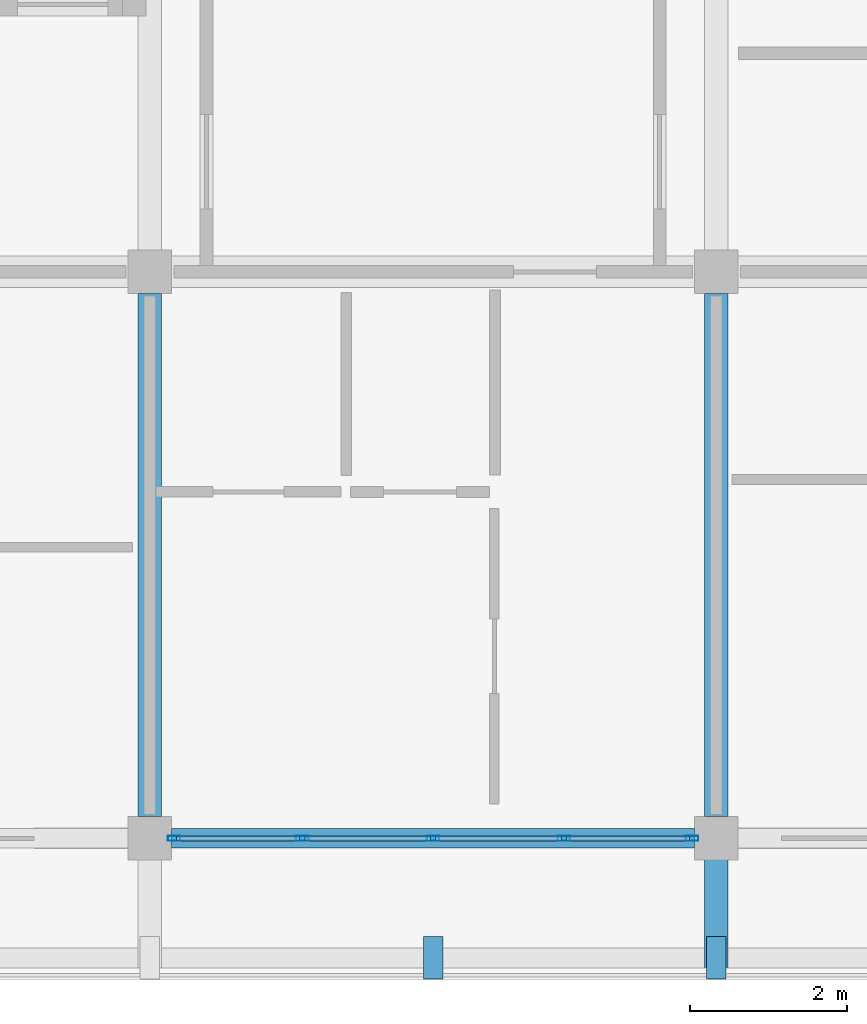
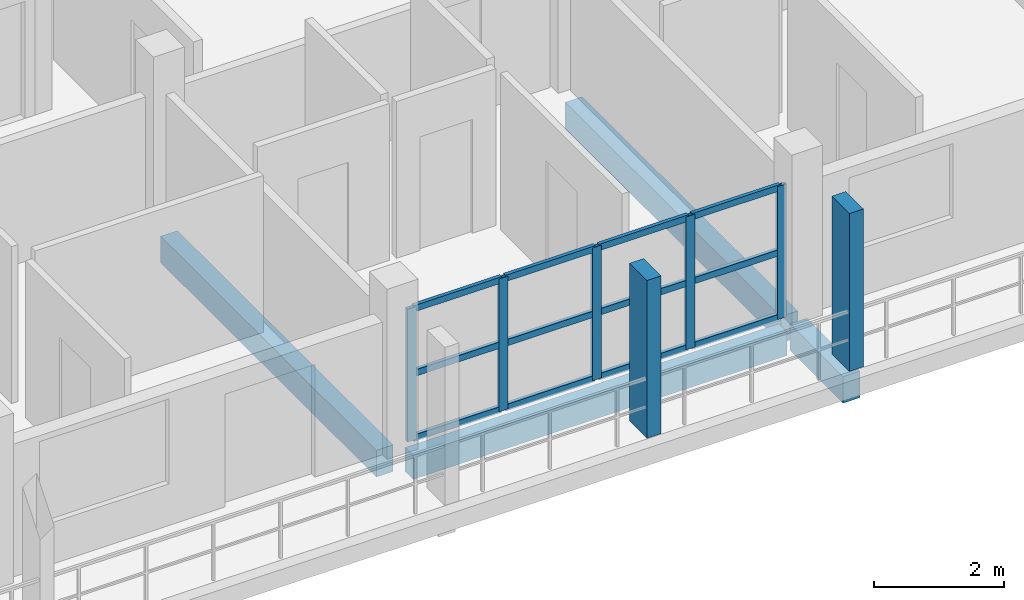
# One storey, part 6 of 65: 19 members, 4 beams, 1 element without a shape of its own.
"""IFC4 building model written with IfcOpenShell, lengths in metres."""

from ifc_helpers import new_model, si_unit, direction, frame, origin, origin_2d, place, context, subcontext, project, spatial, rectangle, hollow_rectangle, extrude, material, material_profile, profile_set, type_object, element, aggregate, save


model = new_model("IFC4")

# Units and contexts
model_context = context("Model", 3, precision=1e-05, world=origin(), true_north=direction((0.0, 1.0)))
body_context = subcontext(model_context, "Body", "Model", "MODEL_VIEW")
ifc_project = project(units=[si_unit("LENGTHUNIT", "METRE"), si_unit("AREAUNIT", "SQUARE_METRE"), si_unit("VOLUMEUNIT", "CUBIC_METRE"), si_unit("PLANEANGLEUNIT", "RADIAN"), si_unit("MASSUNIT", "GRAM", prefix="KILO")], contexts=[model_context])

# Site, building, storey
site_placement = place(None, origin())
site = spatial("IfcSite", under=ifc_project, at=site_placement, CompositionType="ELEMENT")
building_placement = place(site_placement, origin())
building = spatial("IfcBuilding", under=site, at=building_placement, Name="Suanplinth Sawtooth Commons", CompositionType="ELEMENT")
storey_placement = place(building_placement, frame((0.0, 0.0, 28.300048828125)))
storey = spatial("IfcBuildingStorey", under=building, at=storey_placement, Name="L08", CompositionType="ELEMENT", Elevation=28.300048828125)

# Beams
ifc_material_1 = material(Name="Precast concrete C40/50", Category="concrete")
ifc_material_profile_1 = material_profile(ifc_material_1, rectangle(XDim=0.300048828125, YDim=0.5, at=origin_2d()), Name="PC-BM 300x500")
ifc_profile_set_1 = profile_set([ifc_material_profile_1], Name="Precast concrete C40/50")
beam_type_1 = type_object("IfcBeamType", Name="B-07", PredefinedType="BEAM", material=ifc_profile_set_1)
for number, where, z_axis, x_axis, name in (
    (1, (36.0, 0.27490234375, -0.4599609375), (0.0, 1.0, 0.0), (-1.0, 0.0, 0.0), "BMY-L08-D-5-0"),
    (2, (43.199951171875, 0.27490234375, -0.4599609375), (0.0, 1.0, 0.0), (-1.0, 0.0, 0.0), "BMY-L08-D-6-0"),
):
    element("IfcBeam", number, at=place(storey_placement, frame(where, z_axis=z_axis, x_axis=x_axis)), inside=storey, type_object=beam_type_1, Name=name, PredefinedType="BEAM", context=body_context, shape_type="SweptSolid", body=[
        extrude(rectangle(XDim=0.300048828125, YDim=0.5, at=origin_2d()), origin(), (0.0, 0.0, 1.0), 6.650146484375),
    ])
beam_1_placement = place(storey_placement, frame((43.199951171875, 0.0, -0.429931640625), z_axis=(0.0, -1.0, 0.0), x_axis=(1.0, 0.0, 0.0)))
element("IfcBeam", 3, at=beam_1_placement, inside=storey, type_object=beam_type_1, Name="Balcony Outrigger L08-D-S-6", PredefinedType="BEAM", context=body_context, shape_type="SweptSolid", body=[
    extrude(rectangle(XDim=0.300048828125, YDim=0.5, at=origin_2d()), origin(), (0.0, 0.0, 1.0), 1.639892578125),
])
ifc_material_profile_2 = material_profile(ifc_material_1, rectangle(XDim=0.25, YDim=0.449951171875, at=origin_2d()), Name="PC-SP 250x450")
ifc_profile_set_2 = profile_set([ifc_material_profile_2], Name="Precast concrete C40/50")
beam_type_2 = type_object("IfcBeamType", Name="B-09", PredefinedType="SPANDREL", material=ifc_profile_set_2)
beam_2_placement = place(storey_placement, frame((36.27490234375, 0.0, -0.43505859375), z_axis=(1.0, 0.0, 0.0), x_axis=(0.0, 1.0, 0.0)))
element("IfcBeam", 4, at=beam_2_placement, inside=storey, type_object=beam_type_2, Name="BMX-L08-D-5-0", PredefinedType="SPANDREL", context=body_context, shape_type="SweptSolid", body=[
    extrude(rectangle(XDim=0.25, YDim=0.449951171875, at=origin_2d()), origin(), (0.0, 0.0, 1.0), 6.650146484375),
])

# Members
ifc_material_2 = material(Name="Pigmented precast concrete C40/50", Category="concrete")
ifc_material_profile_3 = material_profile(ifc_material_2, rectangle(XDim=0.25, YDim=0.5400390625, at=origin_2d()), Name="PC-FIN 250x540")
ifc_profile_set_3 = profile_set([ifc_material_profile_3], Name="Pigmented precast concrete C40/50")
member_type_1 = type_object("IfcMemberType", Name="M-11", PredefinedType="USERDEFINED", material=ifc_profile_set_3)
for number, where, z_axis, x_axis, name in (
    (5, (39.60009765625, -1.52001953125, 0.0), (0.0, 0.0, 1.0), (1.0, 0.0, 0.0), "Upright Solar Blade L08-D-S-07"),
    (6, (43.199951171875, -1.52001953125, 0.0), (0.0, 0.0, 1.0), (1.0, 0.0, 0.0), "Upright Solar Blade L08-D-S-08"),
):
    element("IfcMember", number, at=place(storey_placement, frame(where, z_axis=z_axis, x_axis=x_axis)), inside=storey, type_object=member_type_1, Name=name, ObjectType="SHADING FIN", PredefinedType="USERDEFINED", context=body_context, shape_type="SweptSolid", body=[
        extrude(rectangle(XDim=0.25, YDim=0.5400390625, at=origin_2d()), origin(), (0.0, 0.0, 1.0), 2.969970703125),
    ])

# Curtain wall, members
ifc_material_3 = material(Name="Anodized aluminium and low-E glazing", Category="aluminium")
curtain_wall_type = type_object("IfcCurtainWallType", Name="CW-06", PredefinedType="USERDEFINED", material=ifc_material_3)
curtain_wall_placement = place(storey_placement, origin())
curtain_wall = element("IfcCurtainWall", 7, at=curtain_wall_placement, inside=storey, type_object=curtain_wall_type, Name="Curtain Wall CW-L08-D-LOUNGE-5", ObjectType="CURTAIN WALL", PredefinedType="USERDEFINED")
ifc_material_4 = material(Name="Anodized aluminium 6063-T6", Category="aluminium")
ifc_material_profile_4 = material_profile(ifc_material_4, hollow_rectangle(XDim=0.06494140625, YDim=0.159912109375, WallThickness=0.00390625, at=origin_2d()), Name="ALU-MUL 65x160")
ifc_profile_set_4 = profile_set([ifc_material_profile_4], Name="Anodized aluminium 6063-T6")
member_type_2 = type_object("IfcMemberType", Name="M-13", PredefinedType="MULLION", material=ifc_profile_set_4)
member_1_placement = place(storey_placement, frame((36.3076171875, 0.0, 0.0), z_axis=(0.0, 0.0, 1.0), x_axis=(0.0, 1.0, 0.0)))
member_1 = element("IfcMember", 8, at=member_1_placement, type_object=member_type_2, Name="CW-06 mullion 1", PredefinedType="MULLION", context=body_context, shape_type="SweptSolid", body=[
    extrude(hollow_rectangle(XDim=0.06494140625, YDim=0.159912109375, WallThickness=0.00390625, at=origin_2d()), origin(), (0.0, 0.0, 1.0), 2.5),
])
member_2_placement = place(storey_placement, frame((37.9375, 0.0, 0.0), z_axis=(0.0, 0.0, 1.0), x_axis=(0.0, 1.0, 0.0)))
member_2 = element("IfcMember", 9, at=member_2_placement, type_object=member_type_2, Name="CW-06 mullion 2", PredefinedType="MULLION", context=body_context, shape_type="SweptSolid", body=[
    extrude(hollow_rectangle(XDim=0.06494140625, YDim=0.159912109375, WallThickness=0.00390625, at=origin_2d()), origin(), (0.0, 0.0, 1.0), 2.5),
])
member_3_placement = place(storey_placement, frame((39.60009765625, 0.0, 0.0), z_axis=(0.0, 0.0, 1.0), x_axis=(0.0, 1.0, 0.0)))
member_3 = element("IfcMember", 10, at=member_3_placement, type_object=member_type_2, Name="CW-06 mullion 3", PredefinedType="MULLION", context=body_context, shape_type="SweptSolid", body=[
    extrude(hollow_rectangle(XDim=0.06494140625, YDim=0.159912109375, WallThickness=0.00390625, at=origin_2d()), origin(), (0.0, 0.0, 1.0), 2.5),
])
member_4_placement = place(storey_placement, frame((41.262451171875, 0.0, 0.0), z_axis=(0.0, 0.0, 1.0), x_axis=(0.0, 1.0, 0.0)))
member_4 = element("IfcMember", 11, at=member_4_placement, type_object=member_type_2, Name="CW-06 mullion 4", PredefinedType="MULLION", context=body_context, shape_type="SweptSolid", body=[
    extrude(hollow_rectangle(XDim=0.06494140625, YDim=0.159912109375, WallThickness=0.00390625, at=origin_2d()), origin(), (0.0, 0.0, 1.0), 2.5),
])
member_5_placement = place(storey_placement, frame((42.892578125, 0.0, 0.0), z_axis=(0.0, 0.0, 1.0), x_axis=(0.0, 1.0, 0.0)))
member_5 = element("IfcMember", 12, at=member_5_placement, type_object=member_type_2, Name="CW-06 mullion 5", PredefinedType="MULLION", context=body_context, shape_type="SweptSolid", body=[
    extrude(hollow_rectangle(XDim=0.06494140625, YDim=0.159912109375, WallThickness=0.00390625, at=origin_2d()), origin(), (0.0, 0.0, 1.0), 2.5),
])
ifc_material_profile_5 = material_profile(ifc_material_4, hollow_rectangle(XDim=0.06494140625, YDim=0.1201171875, WallThickness=0.00390625, at=origin_2d()), Name="ALU-TRN 65x120")
ifc_profile_set_5 = profile_set([ifc_material_profile_5], Name="Anodized aluminium 6063-T6")
member_type_3 = type_object("IfcMemberType", Name="M-15", PredefinedType="USERDEFINED", material=ifc_profile_set_5)
member_6_placement = place(storey_placement, frame((36.340087890625, 0.0, 0.032470703125), z_axis=(1.0, 0.0, 0.0), x_axis=(0.0, 1.0, 0.0)))
member_6 = element("IfcMember", 13, at=member_6_placement, type_object=member_type_3, Name="CW-06 transom 1.1", ObjectType="TRANSOM", PredefinedType="USERDEFINED", context=body_context, shape_type="SweptSolid", body=[
    extrude(hollow_rectangle(XDim=0.06494140625, YDim=0.1201171875, WallThickness=0.00390625, at=origin_2d()), origin(), (0.0, 0.0, 1.0), 1.56494140625),
])
member_7_placement = place(storey_placement, frame((36.340087890625, 0.0, 1.25), z_axis=(1.0, 0.0, 0.0), x_axis=(0.0, 1.0, 0.0)))
member_7 = element("IfcMember", 14, at=member_7_placement, type_object=member_type_3, Name="CW-06 transom 1.2", ObjectType="TRANSOM", PredefinedType="USERDEFINED", context=body_context, shape_type="SweptSolid", body=[
    extrude(hollow_rectangle(XDim=0.06494140625, YDim=0.1201171875, WallThickness=0.00390625, at=origin_2d()), origin(), (0.0, 0.0, 1.0), 1.56494140625),
])
member_8_placement = place(storey_placement, frame((36.340087890625, 0.0, 2.467529296875), z_axis=(1.0, 0.0, 0.0), x_axis=(0.0, 1.0, 0.0)))
member_8 = element("IfcMember", 15, at=member_8_placement, type_object=member_type_3, Name="CW-06 transom 1.3", ObjectType="TRANSOM", PredefinedType="USERDEFINED", context=body_context, shape_type="SweptSolid", body=[
    extrude(hollow_rectangle(XDim=0.06494140625, YDim=0.1201171875, WallThickness=0.00390625, at=origin_2d()), origin(), (0.0, 0.0, 1.0), 1.56494140625),
])
member_9_placement = place(storey_placement, frame((37.969970703125, 0.0, 0.032470703125), z_axis=(1.0, 0.0, 0.0), x_axis=(0.0, 1.0, 0.0)))
member_9 = element("IfcMember", 16, at=member_9_placement, type_object=member_type_3, Name="CW-06 transom 2.1", ObjectType="TRANSOM", PredefinedType="USERDEFINED", context=body_context, shape_type="SweptSolid", body=[
    extrude(hollow_rectangle(XDim=0.06494140625, YDim=0.1201171875, WallThickness=0.00390625, at=origin_2d()), origin(), (0.0, 0.0, 1.0), 1.597412109375),
])
member_10_placement = place(storey_placement, frame((37.969970703125, 0.0, 1.25), z_axis=(1.0, 0.0, 0.0), x_axis=(0.0, 1.0, 0.0)))
member_10 = element("IfcMember", 17, at=member_10_placement, type_object=member_type_3, Name="CW-06 transom 2.2", ObjectType="TRANSOM", PredefinedType="USERDEFINED", context=body_context, shape_type="SweptSolid", body=[
    extrude(hollow_rectangle(XDim=0.06494140625, YDim=0.1201171875, WallThickness=0.00390625, at=origin_2d()), origin(), (0.0, 0.0, 1.0), 1.597412109375),
])
member_11_placement = place(storey_placement, frame((37.969970703125, 0.0, 2.467529296875), z_axis=(1.0, 0.0, 0.0), x_axis=(0.0, 1.0, 0.0)))
member_11 = element("IfcMember", 18, at=member_11_placement, type_object=member_type_3, Name="CW-06 transom 2.3", ObjectType="TRANSOM", PredefinedType="USERDEFINED", context=body_context, shape_type="SweptSolid", body=[
    extrude(hollow_rectangle(XDim=0.06494140625, YDim=0.1201171875, WallThickness=0.00390625, at=origin_2d()), origin(), (0.0, 0.0, 1.0), 1.597412109375),
])
member_12_placement = place(storey_placement, frame((39.632568359375, 0.0, 0.032470703125), z_axis=(1.0, 0.0, 0.0), x_axis=(0.0, 1.0, 0.0)))
member_12 = element("IfcMember", 19, at=member_12_placement, type_object=member_type_3, Name="CW-06 transom 3.1", ObjectType="TRANSOM", PredefinedType="USERDEFINED", context=body_context, shape_type="SweptSolid", body=[
    extrude(hollow_rectangle(XDim=0.06494140625, YDim=0.1201171875, WallThickness=0.00390625, at=origin_2d()), origin(), (0.0, 0.0, 1.0), 1.597412109375),
])
member_13_placement = place(storey_placement, frame((39.632568359375, 0.0, 1.25), z_axis=(1.0, 0.0, 0.0), x_axis=(0.0, 1.0, 0.0)))
member_13 = element("IfcMember", 20, at=member_13_placement, type_object=member_type_3, Name="CW-06 transom 3.2", ObjectType="TRANSOM", PredefinedType="USERDEFINED", context=body_context, shape_type="SweptSolid", body=[
    extrude(hollow_rectangle(XDim=0.06494140625, YDim=0.1201171875, WallThickness=0.00390625, at=origin_2d()), origin(), (0.0, 0.0, 1.0), 1.597412109375),
])
member_14_placement = place(storey_placement, frame((39.632568359375, 0.0, 2.467529296875), z_axis=(1.0, 0.0, 0.0), x_axis=(0.0, 1.0, 0.0)))
member_14 = element("IfcMember", 21, at=member_14_placement, type_object=member_type_3, Name="CW-06 transom 3.3", ObjectType="TRANSOM", PredefinedType="USERDEFINED", context=body_context, shape_type="SweptSolid", body=[
    extrude(hollow_rectangle(XDim=0.06494140625, YDim=0.1201171875, WallThickness=0.00390625, at=origin_2d()), origin(), (0.0, 0.0, 1.0), 1.597412109375),
])
member_15_placement = place(storey_placement, frame((41.294921875, 0.0, 0.032470703125), z_axis=(1.0, 0.0, 0.0), x_axis=(0.0, 1.0, 0.0)))
member_15 = element("IfcMember", 22, at=member_15_placement, type_object=member_type_3, Name="CW-06 transom 4.1", ObjectType="TRANSOM", PredefinedType="USERDEFINED", context=body_context, shape_type="SweptSolid", body=[
    extrude(hollow_rectangle(XDim=0.06494140625, YDim=0.1201171875, WallThickness=0.00390625, at=origin_2d()), origin(), (0.0, 0.0, 1.0), 1.565185546875),
])
member_16_placement = place(storey_placement, frame((41.294921875, 0.0, 1.25), z_axis=(1.0, 0.0, 0.0), x_axis=(0.0, 1.0, 0.0)))
member_16 = element("IfcMember", 23, at=member_16_placement, type_object=member_type_3, Name="CW-06 transom 4.2", ObjectType="TRANSOM", PredefinedType="USERDEFINED", context=body_context, shape_type="SweptSolid", body=[
    extrude(hollow_rectangle(XDim=0.06494140625, YDim=0.1201171875, WallThickness=0.00390625, at=origin_2d()), origin(), (0.0, 0.0, 1.0), 1.565185546875),
])
member_17_placement = place(storey_placement, frame((41.294921875, 0.0, 2.467529296875), z_axis=(1.0, 0.0, 0.0), x_axis=(0.0, 1.0, 0.0)))
member_17 = element("IfcMember", 24, at=member_17_placement, type_object=member_type_3, Name="CW-06 transom 4.3", ObjectType="TRANSOM", PredefinedType="USERDEFINED", context=body_context, shape_type="SweptSolid", body=[
    extrude(hollow_rectangle(XDim=0.06494140625, YDim=0.1201171875, WallThickness=0.00390625, at=origin_2d()), origin(), (0.0, 0.0, 1.0), 1.565185546875),
])
aggregate(curtain_wall, [member_1, member_2, member_3, member_4, member_5, member_6, member_7, member_8, member_9, member_10, member_11, member_12, member_13, member_14, member_15, member_16, member_17])

save(model, "model.ifc")
